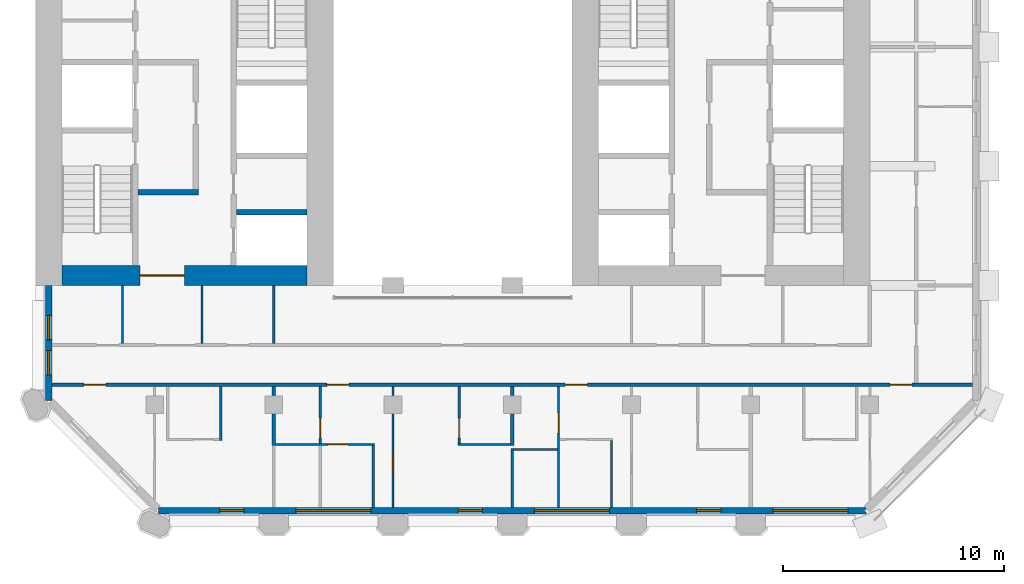
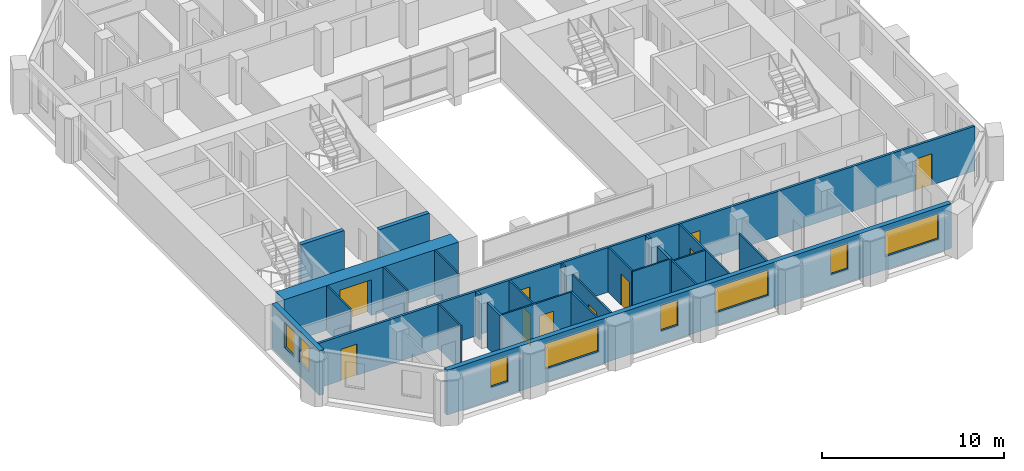
# One storey, part 4 of 12: 25 walls, 10 doors, 8 windows, 18 openings.
"""IFC4 building model written with IfcOpenShell, lengths in metres."""

from ifc_helpers import new_model, si_unit, direction, frame, frame_2d, origin, place, context, subcontext, project, spatial, rectangle, extrude, material, layer, layer_set, type_object, element, fill, save


model = new_model("IFC4")

# Units and contexts
model_context = context("Model", 3, precision=1e-05, world=origin(), true_north=direction((0.0, 1.0)))
body_context = subcontext(model_context, "Body", "Model", "MODEL_VIEW")
ifc_project = project(units=[si_unit("LENGTHUNIT", "METRE"), si_unit("AREAUNIT", "SQUARE_METRE"), si_unit("VOLUMEUNIT", "CUBIC_METRE"), si_unit("PLANEANGLEUNIT", "RADIAN"), si_unit("MASSUNIT", "GRAM", prefix="KILO")], contexts=[model_context])

# Site, building, storey
site_placement = place(None, origin())
site = spatial("IfcSite", under=ifc_project, at=site_placement, CompositionType="ELEMENT")
building_placement = place(site_placement, origin())
building = spatial("IfcBuilding", under=site, at=building_placement, Name="Tabaq Tower and Sports Hall", CompositionType="ELEMENT")
storey_placement = place(building_placement, frame((0.0, 0.0, 184.0)))
storey = spatial("IfcBuildingStorey", under=building, at=storey_placement, Name="L44", CompositionType="ELEMENT", Elevation=184.0)

# Wall, opening, door
ifc_material_1 = material(Name="Concrete C50/60", Category="concrete")
ifc_layer_1 = layer(ifc_material_1, 0.89990234375)
ifc_layer_set_1 = layer_set([ifc_layer_1], Name="Core wall 900 Concrete C50/60")
wall_type_1 = type_object("IfcWallType", Name="Core wall 900 Concrete C50/60", PredefinedType="SOLIDWALL", material=ifc_layer_set_1)
wall_1_placement = place(storey_placement, frame((17.699951171875, 16.64990234375, 0.0), z_axis=(0.0, 0.0, 1.0), x_axis=(-1.0, 0.0, 0.0)))
wall_1 = element("IfcWall", 1, at=wall_1_placement, inside=storey, type_object=wall_type_1, Name="Core wall W L44", PredefinedType="SOLIDWALL", context=body_context, shape_type="SweptSolid", body=[
    extrude(rectangle(XDim=11.099853515625, YDim=0.89990234375, at=frame_2d((5.5498046875, 0.0))), origin(), (0.0, 0.0, 1.0), 3.0),
])
opening_1_placement = place(wall_1_placement, frame((5.550048828125, 0.0, 0.0)))
opening_1 = element("IfcOpeningElement", 2, at=opening_1_placement, cuts=wall_1, Name="Opening PD-WL44-01", PredefinedType="OPENING", context=body_context, shape_type="SweptSolid", body=[
    extrude(rectangle(XDim=2.0, YDim=2.39990234375, at=frame_2d((1.0, 1.199951171875))), frame((0.0, 0.449951171875, 0.0), z_axis=(0.0, -1.0, 0.0), x_axis=(1.0, 0.0, 0.0)), (0.0, 0.0, 1.0), 0.89990234375),
])
ifc_material_2 = material(Name="Steel fire door", Category="steel")
door_type_1 = type_object("IfcDoorType", Name="Core entrance door 2000", OperationType="DOUBLE_DOOR_SINGLE_SWING", PredefinedType="DOOR", material=ifc_material_2)
door_1_placement = place(opening_1_placement, origin())
door_1 = element("IfcDoor", 3, at=door_1_placement, inside=storey, type_object=door_type_1, Name="Core entrance south W L44", OperationType="DOUBLE_DOOR_SINGLE_SWING", OverallHeight=2.39990234375, OverallWidth=2.0, PredefinedType="DOOR", context=body_context, shape_type="SweptSolid", body=[
    extrude(rectangle(XDim=2.0, YDim=2.39990234375, at=frame_2d((1.0, 1.199951171875))), frame((0.0, 0.02490234375, 0.0), z_axis=(0.0, -1.0, 0.0), x_axis=(1.0, 0.0, 0.0)), (0.0, 0.0, 1.0), 0.050048828125),
])
fill(opening_1, door_1)

# Walls
ifc_material_3 = material(Name="Gypsum board on steel studs", Category="steel")
ifc_layer_2 = layer(ifc_material_3, 0.10009765625)
ifc_layer_set_2 = layer_set([ifc_layer_2], Name="Partition 100 Gypsum board")
wall_type_2 = type_object("IfcWallType", Name="Partition 100 Gypsum board", PredefinedType="PARTITIONING", material=ifc_layer_set_2)
wall_2_placement = place(storey_placement, frame((13.800048828125, 11.625, 0.0), z_axis=(0.0, 0.0, 1.0), x_axis=(0.0, -1.0, 0.0)))
element("IfcWall", 4, at=wall_2_placement, inside=storey, type_object=wall_type_2, Name="Partition wall L44", PredefinedType="PARTITIONING", context=body_context, shape_type="SweptSolid", body=[
    extrude(rectangle(XDim=2.449951171875, YDim=0.10009765625, at=frame_2d((1.22509765625, 0.0))), origin(), (0.0, 0.0, 1.0), 3.0),
])
wall_3_placement = place(storey_placement, frame((27.0, 6.15087890625, 0.0), z_axis=(0.0, 0.0, 1.0), x_axis=(0.0, 1.0, 0.0)))
element("IfcWall", 5, at=wall_3_placement, inside=storey, type_object=wall_type_2, Name="Partition wall L44", PredefinedType="PARTITIONING", context=body_context, shape_type="SweptSolid", body=[
    extrude(rectangle(XDim=2.674072265625, YDim=0.10009765625, at=frame_2d((1.3369140625, 0.0))), origin(), (0.0, 0.0, 1.0), 3.0),
])
wall_4_placement = place(storey_placement, frame((26.925048828125, 9.0, 0.0), z_axis=(0.0, 0.0, 1.0), x_axis=(-1.0, 0.0, 0.0)))
element("IfcWall", 6, at=wall_4_placement, inside=storey, type_object=wall_type_2, Name="Partition wall L44", PredefinedType="PARTITIONING", context=body_context, shape_type="SweptSolid", body=[
    extrude(rectangle(XDim=2.375, YDim=0.10009765625, at=frame_2d((1.1875, 0.0))), origin(), (0.0, 0.0, 1.0), 3.0),
])

# Wall, opening, door
wall_5_placement = place(storey_placement, frame((24.60009765625, 9.050048828125, 0.0), z_axis=(0.0, 0.0, 1.0), x_axis=(0.0, 1.0, 0.0)))
wall_5 = element("IfcWall", 7, at=wall_5_placement, inside=storey, type_object=wall_type_2, Name="Partition wall L44", PredefinedType="PARTITIONING", context=body_context, shape_type="SweptSolid", body=[
    extrude(rectangle(XDim=2.574951171875, YDim=0.10009765625, at=frame_2d((1.28759765625, 0.0))), origin(), (0.0, 0.0, 1.0), 3.0),
])
opening_2_placement = place(wall_5_placement, frame((0.25, 0.0, 0.0)))
opening_2 = element("IfcOpeningElement", 8, at=opening_2_placement, cuts=wall_5, Name="Opening L44-017", PredefinedType="OPENING", context=body_context, shape_type="SweptSolid", body=[
    extrude(rectangle(XDim=0.89990234375, YDim=2.10009765625, at=frame_2d((0.449951171875, 1.050048828125))), frame((0.0, 0.050048828125, 0.0), z_axis=(0.0, -1.0, 0.0), x_axis=(1.0, 0.0, 0.0)), (0.0, 0.0, 1.0), 0.10009765625),
])
ifc_material_4 = material(Name="Timber leaf in steel frame", Category="steel")
door_type_2 = type_object("IfcDoorType", Name="Internal door 900 right hand", OperationType="SINGLE_SWING_RIGHT", PredefinedType="DOOR", material=ifc_material_4)
door_2_placement = place(opening_2_placement, origin())
door_2 = element("IfcDoor", 9, at=door_2_placement, inside=storey, type_object=door_type_2, Name="Internal door L44-017", OperationType="SINGLE_SWING_RIGHT", OverallHeight=2.10009765625, OverallWidth=0.89990234375, PredefinedType="DOOR", context=body_context, shape_type="SweptSolid", body=[
    extrude(rectangle(XDim=0.89990234375, YDim=2.10009765625, at=frame_2d((0.449951171875, 1.050048828125))), frame((0.0, 0.02490234375, 0.0), z_axis=(0.0, -1.0, 0.0), x_axis=(1.0, 0.0, 0.0)), (0.0, 0.0, 1.0), 0.050048828125),
])
fill(opening_2, door_2)

# Wall
wall_6_placement = place(storey_placement, frame((21.60009765625, 11.625, 0.0), z_axis=(0.0, 0.0, 1.0), x_axis=(0.0, -1.0, 0.0)))
element("IfcWall", 10, at=wall_6_placement, inside=storey, type_object=wall_type_2, Name="Partition wall L44", PredefinedType="PARTITIONING", context=body_context, shape_type="SweptSolid", body=[
    extrude(rectangle(XDim=0.405029296875, YDim=0.10009765625, at=frame_2d((0.20263671875, 0.0))), origin(), (0.0, 0.0, 1.0), 3.0),
])

# Wall, opening, door
wall_7_placement = place(storey_placement, frame((21.60009765625, 10.3798828125, 0.0), z_axis=(0.0, 0.0, 1.0), x_axis=(0.0, -1.0, 0.0)))
wall_7 = element("IfcWall", 11, at=wall_7_placement, inside=storey, type_object=wall_type_2, Name="Partition wall L44", PredefinedType="PARTITIONING", context=body_context, shape_type="SweptSolid", body=[
    extrude(rectangle(XDim=4.22900390625, YDim=0.10009765625, at=frame_2d((2.114501953125, 0.0))), origin(), (0.0, 0.0, 1.0), 3.0),
])
opening_3_placement = place(wall_7_placement, frame((1.780029296875, 0.0, 0.0)))
opening_3 = element("IfcOpeningElement", 12, at=opening_3_placement, cuts=wall_7, Name="Opening L44-043", PredefinedType="OPENING", context=body_context, shape_type="SweptSolid", body=[
    extrude(rectangle(XDim=0.89990234375, YDim=2.10009765625, at=frame_2d((0.449951171875, 1.050048828125))), frame((0.0, 0.050048828125, 0.0), z_axis=(0.0, -1.0, 0.0), x_axis=(1.0, 0.0, 0.0)), (0.0, 0.0, 1.0), 0.10009765625),
])
ifc_material_5 = material(Name="Timber leaf in steel frame", Category="steel")
door_type_3 = type_object("IfcDoorType", Name="Internal door 900 left hand", OperationType="SINGLE_SWING_LEFT", PredefinedType="DOOR", material=ifc_material_5)
door_3_placement = place(opening_3_placement, origin())
door_3 = element("IfcDoor", 13, at=door_3_placement, inside=storey, type_object=door_type_3, Name="Internal door L44-043", OperationType="SINGLE_SWING_LEFT", OverallHeight=2.10009765625, OverallWidth=0.89990234375, PredefinedType="DOOR", context=body_context, shape_type="SweptSolid", body=[
    extrude(rectangle(XDim=0.89990234375, YDim=2.10009765625, at=frame_2d((0.449951171875, 1.050048828125))), frame((0.0, 0.02490234375, 0.0), z_axis=(0.0, -1.0, 0.0), x_axis=(1.0, 0.0, 0.0)), (0.0, 0.0, 1.0), 0.050048828125),
])
fill(opening_3, door_3)

wall_8_placement = place(storey_placement, frame((18.300048828125, 9.050048828125, 0.0), z_axis=(0.0, 0.0, 1.0), x_axis=(0.0, 1.0, 0.0)))
wall_8 = element("IfcWall", 14, at=wall_8_placement, inside=storey, type_object=wall_type_2, Name="Partition wall L44", PredefinedType="PARTITIONING", context=body_context, shape_type="SweptSolid", body=[
    extrude(rectangle(XDim=2.574951171875, YDim=0.10009765625, at=frame_2d((1.28759765625, 0.0))), origin(), (0.0, 0.0, 1.0), 3.0),
])
opening_4_placement = place(wall_8_placement, frame((0.25, 0.0, 0.0)))
opening_4 = element("IfcOpeningElement", 15, at=opening_4_placement, cuts=wall_8, Name="Opening L44-018", PredefinedType="OPENING", context=body_context, shape_type="SweptSolid", body=[
    extrude(rectangle(XDim=0.89990234375, YDim=2.10009765625, at=frame_2d((0.449951171875, 1.050048828125))), frame((0.0, 0.050048828125, 0.0), z_axis=(0.0, -1.0, 0.0), x_axis=(1.0, 0.0, 0.0)), (0.0, 0.0, 1.0), 0.10009765625),
])
door_4_placement = place(opening_4_placement, origin())
door_4 = element("IfcDoor", 16, at=door_4_placement, inside=storey, type_object=door_type_3, Name="Internal door L44-018", OperationType="SINGLE_SWING_LEFT", OverallHeight=2.10009765625, OverallWidth=0.89990234375, PredefinedType="DOOR", context=body_context, shape_type="SweptSolid", body=[
    extrude(rectangle(XDim=0.89990234375, YDim=2.10009765625, at=frame_2d((0.449951171875, 1.050048828125))), frame((0.0, 0.02490234375, 0.0), z_axis=(0.0, -1.0, 0.0), x_axis=(1.0, 0.0, 0.0)), (0.0, 0.0, 1.0), 0.050048828125),
])
fill(opening_4, door_4)

wall_9_placement = place(storey_placement, frame((16.27490234375, 9.0, 0.0), z_axis=(0.0, 0.0, 1.0), x_axis=(1.0, 0.0, 0.0)))
wall_9 = element("IfcWall", 17, at=wall_9_placement, inside=storey, type_object=wall_type_2, Name="Partition wall L44", PredefinedType="PARTITIONING", context=body_context, shape_type="SweptSolid", body=[
    extrude(rectangle(XDim=4.47509765625, YDim=0.10009765625, at=frame_2d((2.237548828125, 0.0))), origin(), (0.0, 0.0, 1.0), 3.0),
])
opening_5_placement = place(wall_9_placement, frame((2.375, 0.0, 0.0)))
opening_5 = element("IfcOpeningElement", 18, at=opening_5_placement, cuts=wall_9, Name="Opening L44-019", PredefinedType="OPENING", context=body_context, shape_type="SweptSolid", body=[
    extrude(rectangle(XDim=0.89990234375, YDim=2.10009765625, at=frame_2d((0.449951171875, 1.050048828125))), frame((0.0, 0.050048828125, 0.0), z_axis=(0.0, -1.0, 0.0), x_axis=(1.0, 0.0, 0.0)), (0.0, 0.0, 1.0), 0.10009765625),
])
door_5_placement = place(opening_5_placement, origin())
door_5 = element("IfcDoor", 19, at=door_5_placement, inside=storey, type_object=door_type_2, Name="Internal door L44-019", OperationType="SINGLE_SWING_RIGHT", OverallHeight=2.10009765625, OverallWidth=0.89990234375, PredefinedType="DOOR", context=body_context, shape_type="SweptSolid", body=[
    extrude(rectangle(XDim=0.89990234375, YDim=2.10009765625, at=frame_2d((0.449951171875, 1.050048828125))), frame((0.0, 0.02490234375, 0.0), z_axis=(0.0, -1.0, 0.0), x_axis=(1.0, 0.0, 0.0)), (0.0, 0.0, 1.0), 0.050048828125),
])
fill(opening_5, door_5)

# Walls
wall_10_placement = place(storey_placement, frame((20.699951171875, 8.949951171875, 0.0), z_axis=(0.0, 0.0, 1.0), x_axis=(0.0, -1.0, 0.0)))
element("IfcWall", 20, at=wall_10_placement, inside=storey, type_object=wall_type_2, Name="Partition wall L44", PredefinedType="PARTITIONING", context=body_context, shape_type="SweptSolid", body=[
    extrude(rectangle(XDim=2.799072265625, YDim=0.10009765625, at=frame_2d((1.3994140625, 0.0))), origin(), (0.0, 0.0, 1.0), 3.0),
])
wall_11_placement = place(storey_placement, frame((27.050048828125, 8.77490234375, 0.0), z_axis=(0.0, 0.0, 1.0), x_axis=(1.0, 0.0, 0.0)))
element("IfcWall", 21, at=wall_11_placement, inside=storey, type_object=wall_type_2, Name="Partition wall L44", PredefinedType="PARTITIONING", context=body_context, shape_type="SweptSolid", body=[
    extrude(rectangle(XDim=2.0, YDim=0.10009765625, at=frame_2d((1.0, 0.0))), origin(), (0.0, 0.0, 1.0), 3.0),
])

# Wall, opening, door
wall_12_placement = place(storey_placement, frame((29.10009765625, 6.15087890625, 0.0), z_axis=(0.0, 0.0, 1.0), x_axis=(0.0, 1.0, 0.0)))
wall_12 = element("IfcWall", 22, at=wall_12_placement, inside=storey, type_object=wall_type_2, Name="Partition wall L44", PredefinedType="PARTITIONING", context=body_context, shape_type="SweptSolid", body=[
    extrude(rectangle(XDim=5.47412109375, YDim=0.10009765625, at=frame_2d((2.737060546875, 0.0))), origin(), (0.0, 0.0, 1.0), 3.0),
])
opening_6_placement = place(wall_12_placement, frame((3.3740234375, 0.0, 0.0)))
opening_6 = element("IfcOpeningElement", 23, at=opening_6_placement, cuts=wall_12, Name="Opening L44-021", PredefinedType="OPENING", context=body_context, shape_type="SweptSolid", body=[
    extrude(rectangle(XDim=0.89990234375, YDim=2.10009765625, at=frame_2d((0.449951171875, 1.050048828125))), frame((0.0, 0.050048828125, 0.0), z_axis=(0.0, -1.0, 0.0), x_axis=(1.0, 0.0, 0.0)), (0.0, 0.0, 1.0), 0.10009765625),
])
door_6_placement = place(opening_6_placement, origin())
door_6 = element("IfcDoor", 24, at=door_6_placement, inside=storey, type_object=door_type_2, Name="Internal door L44-021", OperationType="SINGLE_SWING_RIGHT", OverallHeight=2.10009765625, OverallWidth=0.89990234375, PredefinedType="DOOR", context=body_context, shape_type="SweptSolid", body=[
    extrude(rectangle(XDim=0.89990234375, YDim=2.10009765625, at=frame_2d((0.449951171875, 1.050048828125))), frame((0.0, 0.02490234375, 0.0), z_axis=(0.0, -1.0, 0.0), x_axis=(1.0, 0.0, 0.0)), (0.0, 0.0, 1.0), 0.050048828125),
])
fill(opening_6, door_6)

# Walls
wall_13_placement = place(storey_placement, frame((31.5, 9.175048828125, 0.0), z_axis=(0.0, 0.0, 1.0), x_axis=(0.0, -1.0, 0.0)))
element("IfcWall", 25, at=wall_13_placement, inside=storey, type_object=wall_type_2, Name="Partition wall L44", PredefinedType="PARTITIONING", context=body_context, shape_type="SweptSolid", body=[
    extrude(rectangle(XDim=3.024169921875, YDim=0.10009765625, at=frame_2d((1.51220703125, 0.0))), origin(), (0.0, 0.0, 1.0), 3.0),
])
for number, where, z_axis, x_axis, name in (
    (26, (16.199951171875, 16.199951171875, 0.0), (0.0, 0.0, 1.0), (0.0, -1.0, 0.0), "Partition wall L44"),
    (27, (9.35009765625, 16.199951171875, 0.0), (0.0, 0.0, 1.0), (0.0, -1.0, 0.0), "Partition wall L44"),
    (28, (12.949951171875, 13.574951171875, 0.0), (0.0, 0.0, 1.0), (0.0, 1.0, 0.0), "Partition wall L44"),
):
    element("IfcWall", number, at=place(storey_placement, frame(where, z_axis=z_axis, x_axis=x_axis)), inside=storey, type_object=wall_type_2, Name=name, PredefinedType="PARTITIONING", context=body_context, shape_type="SweptSolid", body=[
        extrude(rectangle(XDim=2.625, YDim=0.10009765625, at=frame_2d((1.3125, 0.0))), origin(), (0.0, 0.0, 1.0), 3.0),
    ])
ifc_material_6 = material(Name="Blockwork", Category="masonry")
ifc_layer_3 = layer(ifc_material_6, 0.14990234375)
ifc_layer_set_3 = layer_set([ifc_layer_3], Name="Separating wall 150 Blockwork")
wall_type_3 = type_object("IfcWallType", Name="Separating wall 150 Blockwork", PredefinedType="PARTITIONING", material=ifc_layer_set_3)
wall_14_placement = place(storey_placement, frame((16.199951171875, 8.949951171875, 0.0), z_axis=(0.0, 0.0, 1.0), x_axis=(0.0, 1.0, 0.0)))
element("IfcWall", 29, at=wall_14_placement, inside=storey, type_object=wall_type_3, Name="Separating wall L44", PredefinedType="PARTITIONING", context=body_context, shape_type="SweptSolid", body=[
    extrude(rectangle(XDim=1.429931640625, YDim=0.14990234375, at=frame_2d((0.71484375, 0.0))), origin(), (0.0, 0.0, 1.0), 3.0),
])
wall_15_placement = place(storey_placement, frame((16.199951171875, 11.219970703125, 0.0), z_axis=(0.0, 0.0, 1.0), x_axis=(0.0, 1.0, 0.0)))
element("IfcWall", 30, at=wall_15_placement, inside=storey, type_object=wall_type_3, Name="Separating wall L44", PredefinedType="PARTITIONING", context=body_context, shape_type="SweptSolid", body=[
    extrude(rectangle(XDim=0.405029296875, YDim=0.14990234375, at=frame_2d((0.20263671875, 0.0))), origin(), (0.0, 0.0, 1.0), 3.0),
])
wall_16_placement = place(storey_placement, frame((27.0, 8.949951171875, 0.0), z_axis=(0.0, 0.0, 1.0), x_axis=(0.0, 1.0, 0.0)))
element("IfcWall", 31, at=wall_16_placement, inside=storey, type_object=wall_type_3, Name="Separating wall L44", PredefinedType="PARTITIONING", context=body_context, shape_type="SweptSolid", body=[
    extrude(rectangle(XDim=1.429931640625, YDim=0.14990234375, at=frame_2d((0.71484375, 0.0))), origin(), (0.0, 0.0, 1.0), 3.0),
])
wall_17_placement = place(storey_placement, frame((27.0, 11.219970703125, 0.0), z_axis=(0.0, 0.0, 1.0), x_axis=(0.0, 1.0, 0.0)))
element("IfcWall", 32, at=wall_17_placement, inside=storey, type_object=wall_type_3, Name="Separating wall L44", PredefinedType="PARTITIONING", context=body_context, shape_type="SweptSolid", body=[
    extrude(rectangle(XDim=0.405029296875, YDim=0.14990234375, at=frame_2d((0.20263671875, 0.0))), origin(), (0.0, 0.0, 1.0), 3.0),
])

# Wall, openings, doors
wall_18_placement = place(storey_placement, frame((6.15087890625, 11.699951171875, 0.0), z_axis=(0.0, 0.0, 1.0), x_axis=(1.0, 0.0, 0.0)))
wall_18 = element("IfcWall", 33, at=wall_18_placement, inside=storey, type_object=wall_type_3, Name="Separating wall L44", PredefinedType="PARTITIONING", context=body_context, shape_type="SweptSolid", body=[
    extrude(rectangle(XDim=41.6982421875, YDim=0.14990234375, at=frame_2d((20.84912109375, 0.0))), origin(), (0.0, 0.0, 1.0), 3.0),
])
opening_7_placement = place(wall_18_placement, frame((1.448974609375, 0.0, 0.0)))
opening_7 = element("IfcOpeningElement", 34, at=opening_7_placement, cuts=wall_18, Name="Opening L44-042", PredefinedType="OPENING", context=body_context, shape_type="SweptSolid", body=[
    extrude(rectangle(XDim=1.0, YDim=2.10009765625, at=frame_2d((0.5, 1.050048828125))), frame((0.0, 0.074951171875, 0.0), z_axis=(0.0, -1.0, 0.0), x_axis=(1.0, 0.0, 0.0)), (0.0, 0.0, 1.0), 0.14990234375),
])
opening_8_placement = place(wall_18_placement, frame((37.9541015625, 0.0, 0.0)))
opening_8 = element("IfcOpeningElement", 35, at=opening_8_placement, cuts=wall_18, Name="Opening L44-046", PredefinedType="OPENING", context=body_context, shape_type="SweptSolid", body=[
    extrude(rectangle(XDim=1.0, YDim=2.10009765625, at=frame_2d((0.5, 1.050048828125))), frame((0.0, 0.074951171875, 0.0), z_axis=(0.0, -1.0, 0.0), x_axis=(1.0, 0.0, 0.0)), (0.0, 0.0, 1.0), 0.14990234375),
])
opening_9_placement = place(wall_18_placement, frame((12.448974609375, 0.0, 0.0)))
opening_9 = element("IfcOpeningElement", 36, at=opening_9_placement, cuts=wall_18, Name="Opening L44-050", PredefinedType="OPENING", context=body_context, shape_type="SweptSolid", body=[
    extrude(rectangle(XDim=1.0, YDim=2.10009765625, at=frame_2d((0.5, 1.050048828125))), frame((0.0, 0.074951171875, 0.0), z_axis=(0.0, -1.0, 0.0), x_axis=(1.0, 0.0, 0.0)), (0.0, 0.0, 1.0), 0.14990234375),
])
opening_10_placement = place(wall_18_placement, frame((23.2490234375, 0.0, 0.0)))
opening_10 = element("IfcOpeningElement", 37, at=opening_10_placement, cuts=wall_18, Name="Opening L44-051", PredefinedType="OPENING", context=body_context, shape_type="SweptSolid", body=[
    extrude(rectangle(XDim=1.0, YDim=2.10009765625, at=frame_2d((0.5, 1.050048828125))), frame((0.0, 0.074951171875, 0.0), z_axis=(0.0, -1.0, 0.0), x_axis=(1.0, 0.0, 0.0)), (0.0, 0.0, 1.0), 0.14990234375),
])
ifc_material_7 = material(Name="Steel fire door", Category="steel")
door_type_4 = type_object("IfcDoorType", Name="Entrance door 1000 left hand", OperationType="SINGLE_SWING_LEFT", PredefinedType="DOOR", material=ifc_material_7)
door_7_placement = place(opening_9_placement, origin())
door_7 = element("IfcDoor", 38, at=door_7_placement, inside=storey, type_object=door_type_4, Name="Entrance door L44-050", OperationType="SINGLE_SWING_LEFT", OverallHeight=2.10009765625, OverallWidth=1.0, PredefinedType="DOOR", context=body_context, shape_type="SweptSolid", body=[
    extrude(rectangle(XDim=1.0, YDim=2.10009765625, at=frame_2d((0.5, 1.050048828125))), frame((0.0, 0.02490234375, 0.0), z_axis=(0.0, -1.0, 0.0), x_axis=(1.0, 0.0, 0.0)), (0.0, 0.0, 1.0), 0.050048828125),
])
fill(opening_9, door_7)
door_8_placement = place(opening_10_placement, origin())
door_8 = element("IfcDoor", 39, at=door_8_placement, inside=storey, type_object=door_type_4, Name="Entrance door L44-051", OperationType="SINGLE_SWING_LEFT", OverallHeight=2.10009765625, OverallWidth=1.0, PredefinedType="DOOR", context=body_context, shape_type="SweptSolid", body=[
    extrude(rectangle(XDim=1.0, YDim=2.10009765625, at=frame_2d((0.5, 1.050048828125))), frame((0.0, 0.02490234375, 0.0), z_axis=(0.0, -1.0, 0.0), x_axis=(1.0, 0.0, 0.0)), (0.0, 0.0, 1.0), 0.050048828125),
])
fill(opening_10, door_8)
ifc_material_8 = material(Name="Steel fire door", Category="steel")
door_type_5 = type_object("IfcDoorType", Name="Entrance door 1000 right hand", OperationType="SINGLE_SWING_RIGHT", PredefinedType="DOOR", material=ifc_material_8)
door_9_placement = place(opening_7_placement, origin())
door_9 = element("IfcDoor", 40, at=door_9_placement, inside=storey, type_object=door_type_5, Name="Entrance door L44-042", OperationType="SINGLE_SWING_RIGHT", OverallHeight=2.10009765625, OverallWidth=1.0, PredefinedType="DOOR", context=body_context, shape_type="SweptSolid", body=[
    extrude(rectangle(XDim=1.0, YDim=2.10009765625, at=frame_2d((0.5, 1.050048828125))), frame((0.0, 0.02490234375, 0.0), z_axis=(0.0, -1.0, 0.0), x_axis=(1.0, 0.0, 0.0)), (0.0, 0.0, 1.0), 0.050048828125),
])
fill(opening_7, door_9)
door_10_placement = place(opening_8_placement, origin())
door_10 = element("IfcDoor", 41, at=door_10_placement, inside=storey, type_object=door_type_5, Name="Entrance door L44-046", OperationType="SINGLE_SWING_RIGHT", OverallHeight=2.10009765625, OverallWidth=1.0, PredefinedType="DOOR", context=body_context, shape_type="SweptSolid", body=[
    extrude(rectangle(XDim=1.0, YDim=2.10009765625, at=frame_2d((0.5, 1.050048828125))), frame((0.0, 0.02490234375, 0.0), z_axis=(0.0, -1.0, 0.0), x_axis=(1.0, 0.0, 0.0)), (0.0, 0.0, 1.0), 0.050048828125),
])
fill(opening_8, door_10)

# Walls
ifc_material_9 = material(Name="Concrete C40/50", Category="concrete")
ifc_layer_4 = layer(ifc_material_9, 0.25)
ifc_layer_set_4 = layer_set([ifc_layer_4], Name="Shaft and stair wall 250 Concrete C40/50")
wall_type_4 = type_object("IfcWallType", Name="Shaft and stair wall 250 Concrete C40/50", PredefinedType="SOLIDWALL", material=ifc_layer_set_4)
wall_19_placement = place(storey_placement, frame((10.050048828125, 20.425048828125, 0.0), z_axis=(0.0, 0.0, 1.0), x_axis=(1.0, 0.0, 0.0)))
element("IfcWall", 42, at=wall_19_placement, inside=storey, type_object=wall_type_4, Name="Fire-fighting lobby wall W L44", PredefinedType="SOLIDWALL", context=body_context, shape_type="SweptSolid", body=[
    extrude(rectangle(XDim=2.75, YDim=0.25, at=frame_2d((1.375, 0.0))), origin(), (0.0, 0.0, 1.0), 3.0),
])
wall_20_placement = place(storey_placement, frame((14.5, 19.52490234375, 0.0), z_axis=(0.0, 0.0, 1.0), x_axis=(1.0, 0.0, 0.0)))
element("IfcWall", 43, at=wall_20_placement, inside=storey, type_object=wall_type_4, Name="Shaft wall W L44", PredefinedType="SOLIDWALL", context=body_context, shape_type="SweptSolid", body=[
    extrude(rectangle(XDim=3.199951171875, YDim=0.25, at=frame_2d((1.60009765625, 0.0))), origin(), (0.0, 0.0, 1.0), 3.0),
])

# Wall, openings, windows
ifc_material_10 = material(Name="White precast concrete C60/75", Category="concrete")
ifc_layer_5 = layer(ifc_material_10, 0.300048828125)
ifc_layer_set_5 = layer_set([ifc_layer_5], Name="White precast concrete C60/75 external wall 300")
wall_type_5 = type_object("IfcWallType", Name="White precast concrete C60/75 external wall 300", PredefinedType="SOLIDWALL", material=ifc_layer_set_5)
wall_21_placement = place(storey_placement, frame((10.986328125, 6.0, 0.0), z_axis=(0.0, 0.0, 1.0), x_axis=(1.0, 0.0, 0.0)))
wall_21 = element("IfcWall", 44, at=wall_21_placement, inside=storey, type_object=wall_type_5, Name="External Wall L44 S", PredefinedType="SOLIDWALL", context=body_context, shape_type="SweptSolid", body=[
    extrude(rectangle(XDim=32.02734375, YDim=0.300048828125, at=frame_2d((16.013671875, 0.0))), origin(), (0.0, 0.0, 1.0), 3.0),
])
opening_11_placement = place(wall_21_placement, frame((2.763671875, 0.0, 0.89990234375)))
opening_11 = element("IfcOpeningElement", 45, at=opening_11_placement, cuts=wall_21, Name="Opening W1B", PredefinedType="OPENING", context=body_context, shape_type="SweptSolid", body=[
    extrude(rectangle(XDim=1.10009765625, YDim=1.699951171875, at=frame_2d((0.550048828125, 0.85009765625))), frame((0.0, 0.16015625, 0.0), z_axis=(0.0, -1.0, 0.0), x_axis=(1.0, 0.0, 0.0)), (0.0, 0.0, 1.0), 0.320068359375),
])
opening_12_placement = place(wall_21_placement, frame((6.213623046875, 0.0, 0.89990234375)))
opening_12 = element("IfcOpeningElement", 46, at=opening_12_placement, cuts=wall_21, Name="Opening W1A", PredefinedType="OPENING", context=body_context, shape_type="SweptSolid", body=[
    extrude(rectangle(XDim=3.39990234375, YDim=1.699951171875, at=frame_2d((1.699951171875, 0.85009765625))), frame((0.0, 0.16015625, 0.0), z_axis=(0.0, -1.0, 0.0), x_axis=(1.0, 0.0, 0.0)), (0.0, 0.0, 1.0), 0.320068359375),
])
opening_13_placement = place(wall_21_placement, frame((13.563720703125, 0.0, 0.89990234375)))
opening_13 = element("IfcOpeningElement", 47, at=opening_13_placement, cuts=wall_21, Name="Opening W1B", PredefinedType="OPENING", context=body_context, shape_type="SweptSolid", body=[
    extrude(rectangle(XDim=1.10009765625, YDim=1.699951171875, at=frame_2d((0.550048828125, 0.85009765625))), frame((0.0, 0.16015625, 0.0), z_axis=(0.0, -1.0, 0.0), x_axis=(1.0, 0.0, 0.0)), (0.0, 0.0, 1.0), 0.320068359375),
])
opening_14_placement = place(wall_21_placement, frame((17.013671875, 0.0, 0.89990234375)))
opening_14 = element("IfcOpeningElement", 48, at=opening_14_placement, cuts=wall_21, Name="Opening W1A", PredefinedType="OPENING", context=body_context, shape_type="SweptSolid", body=[
    extrude(rectangle(XDim=3.39990234375, YDim=1.699951171875, at=frame_2d((1.699951171875, 0.85009765625))), frame((0.0, 0.16015625, 0.0), z_axis=(0.0, -1.0, 0.0), x_axis=(1.0, 0.0, 0.0)), (0.0, 0.0, 1.0), 0.320068359375),
])
opening_15_placement = place(wall_21_placement, frame((24.363525390625, 0.0, 0.89990234375)))
opening_15 = element("IfcOpeningElement", 49, at=opening_15_placement, cuts=wall_21, Name="Opening W1B", PredefinedType="OPENING", context=body_context, shape_type="SweptSolid", body=[
    extrude(rectangle(XDim=1.10009765625, YDim=1.699951171875, at=frame_2d((0.550048828125, 0.85009765625))), frame((0.0, 0.16015625, 0.0), z_axis=(0.0, -1.0, 0.0), x_axis=(1.0, 0.0, 0.0)), (0.0, 0.0, 1.0), 0.320068359375),
])
opening_16_placement = place(wall_21_placement, frame((27.813720703125, 0.0, 0.89990234375)))
opening_16 = element("IfcOpeningElement", 50, at=opening_16_placement, cuts=wall_21, Name="Opening W1A", PredefinedType="OPENING", context=body_context, shape_type="SweptSolid", body=[
    extrude(rectangle(XDim=3.39990234375, YDim=1.699951171875, at=frame_2d((1.699951171875, 0.85009765625))), frame((0.0, 0.16015625, 0.0), z_axis=(0.0, -1.0, 0.0), x_axis=(1.0, 0.0, 0.0)), (0.0, 0.0, 1.0), 0.320068359375),
])
ifc_material_11 = material(Name="Aluminium framed clear glazing", Category="aluminium")
window_type_1 = type_object("IfcWindowType", Name="Window W1A", PartitioningType="SINGLE_PANEL", PredefinedType="WINDOW", material=ifc_material_11)
window_1_placement = place(opening_12_placement, origin())
window_1 = element("IfcWindow", 51, at=window_1_placement, inside=storey, type_object=window_type_1, Name="Window W1A L44", OverallHeight=1.699951171875, OverallWidth=3.39990234375, PartitioningType="SINGLE_PANEL", PredefinedType="WINDOW", context=body_context, shape_type="SweptSolid", body=[
    extrude(rectangle(XDim=3.39990234375, YDim=1.699951171875, at=frame_2d((1.699951171875, 0.85009765625))), frame((0.0, 0.030029296875, 0.0), z_axis=(0.0, -1.0, 0.0), x_axis=(1.0, 0.0, 0.0)), (0.0, 0.0, 1.0), 0.06005859375),
])
fill(opening_12, window_1)
window_2_placement = place(opening_14_placement, origin())
window_2 = element("IfcWindow", 52, at=window_2_placement, inside=storey, type_object=window_type_1, Name="Window W1A L44", OverallHeight=1.699951171875, OverallWidth=3.39990234375, PartitioningType="SINGLE_PANEL", PredefinedType="WINDOW", context=body_context, shape_type="SweptSolid", body=[
    extrude(rectangle(XDim=3.39990234375, YDim=1.699951171875, at=frame_2d((1.699951171875, 0.85009765625))), frame((0.0, 0.030029296875, 0.0), z_axis=(0.0, -1.0, 0.0), x_axis=(1.0, 0.0, 0.0)), (0.0, 0.0, 1.0), 0.06005859375),
])
fill(opening_14, window_2)
window_3_placement = place(opening_16_placement, origin())
window_3 = element("IfcWindow", 53, at=window_3_placement, inside=storey, type_object=window_type_1, Name="Window W1A L44", OverallHeight=1.699951171875, OverallWidth=3.39990234375, PartitioningType="SINGLE_PANEL", PredefinedType="WINDOW", context=body_context, shape_type="SweptSolid", body=[
    extrude(rectangle(XDim=3.39990234375, YDim=1.699951171875, at=frame_2d((1.699951171875, 0.85009765625))), frame((0.0, 0.030029296875, 0.0), z_axis=(0.0, -1.0, 0.0), x_axis=(1.0, 0.0, 0.0)), (0.0, 0.0, 1.0), 0.06005859375),
])
fill(opening_16, window_3)
ifc_material_12 = material(Name="Aluminium framed clear glazing", Category="aluminium")
window_type_2 = type_object("IfcWindowType", Name="Window W1B", PartitioningType="SINGLE_PANEL", PredefinedType="WINDOW", material=ifc_material_12)
window_4_placement = place(opening_11_placement, origin())
window_4 = element("IfcWindow", 54, at=window_4_placement, inside=storey, type_object=window_type_2, Name="Window W1B L44", OverallHeight=1.699951171875, OverallWidth=1.10009765625, PartitioningType="SINGLE_PANEL", PredefinedType="WINDOW", context=body_context, shape_type="SweptSolid", body=[
    extrude(rectangle(XDim=1.10009765625, YDim=1.699951171875, at=frame_2d((0.550048828125, 0.85009765625))), frame((0.0, 0.030029296875, 0.0), z_axis=(0.0, -1.0, 0.0), x_axis=(1.0, 0.0, 0.0)), (0.0, 0.0, 1.0), 0.06005859375),
])
fill(opening_11, window_4)
window_5_placement = place(opening_13_placement, origin())
window_5 = element("IfcWindow", 55, at=window_5_placement, inside=storey, type_object=window_type_2, Name="Window W1B L44", OverallHeight=1.699951171875, OverallWidth=1.10009765625, PartitioningType="SINGLE_PANEL", PredefinedType="WINDOW", context=body_context, shape_type="SweptSolid", body=[
    extrude(rectangle(XDim=1.10009765625, YDim=1.699951171875, at=frame_2d((0.550048828125, 0.85009765625))), frame((0.0, 0.030029296875, 0.0), z_axis=(0.0, -1.0, 0.0), x_axis=(1.0, 0.0, 0.0)), (0.0, 0.0, 1.0), 0.06005859375),
])
fill(opening_13, window_5)
window_6_placement = place(opening_15_placement, origin())
window_6 = element("IfcWindow", 56, at=window_6_placement, inside=storey, type_object=window_type_2, Name="Window W1B L44", OverallHeight=1.699951171875, OverallWidth=1.10009765625, PartitioningType="SINGLE_PANEL", PredefinedType="WINDOW", context=body_context, shape_type="SweptSolid", body=[
    extrude(rectangle(XDim=1.10009765625, YDim=1.699951171875, at=frame_2d((0.550048828125, 0.85009765625))), frame((0.0, 0.030029296875, 0.0), z_axis=(0.0, -1.0, 0.0), x_axis=(1.0, 0.0, 0.0)), (0.0, 0.0, 1.0), 0.06005859375),
])
fill(opening_15, window_6)

wall_22_placement = place(storey_placement, frame((6.0, 16.199951171875, 0.0), z_axis=(0.0, 0.0, 1.0), x_axis=(0.0, -1.0, 0.0)))
wall_22 = element("IfcWall", 57, at=wall_22_placement, inside=storey, type_object=wall_type_5, Name="External Wall L44 W", PredefinedType="SOLIDWALL", context=body_context, shape_type="SweptSolid", body=[
    extrude(rectangle(XDim=5.213623046875, YDim=0.300048828125, at=frame_2d((2.60693359375, 0.0))), origin(), (0.0, 0.0, 1.0), 3.0),
])
opening_17_placement = place(wall_22_placement, frame((1.35009765625, 0.0, 0.89990234375)))
opening_17 = element("IfcOpeningElement", 58, at=opening_17_placement, cuts=wall_22, Name="Opening W1B", PredefinedType="OPENING", context=body_context, shape_type="SweptSolid", body=[
    extrude(rectangle(XDim=1.10009765625, YDim=1.699951171875, at=frame_2d((0.550048828125, 0.85009765625))), frame((0.0, 0.16015625, 0.0), z_axis=(0.0, -1.0, 0.0), x_axis=(1.0, 0.0, 0.0)), (0.0, 0.0, 1.0), 0.320068359375),
])
opening_18_placement = place(wall_22_placement, frame((2.949951171875, 0.0, 0.89990234375)))
opening_18 = element("IfcOpeningElement", 59, at=opening_18_placement, cuts=wall_22, Name="Opening W1B", PredefinedType="OPENING", context=body_context, shape_type="SweptSolid", body=[
    extrude(rectangle(XDim=1.10009765625, YDim=1.699951171875, at=frame_2d((0.550048828125, 0.85009765625))), frame((0.0, 0.16015625, 0.0), z_axis=(0.0, -1.0, 0.0), x_axis=(1.0, 0.0, 0.0)), (0.0, 0.0, 1.0), 0.320068359375),
])
window_7_placement = place(opening_17_placement, origin())
window_7 = element("IfcWindow", 60, at=window_7_placement, inside=storey, type_object=window_type_2, Name="Window W1B L44", OverallHeight=1.699951171875, OverallWidth=1.10009765625, PartitioningType="SINGLE_PANEL", PredefinedType="WINDOW", context=body_context, shape_type="SweptSolid", body=[
    extrude(rectangle(XDim=1.10009765625, YDim=1.699951171875, at=frame_2d((0.550048828125, 0.85009765625))), frame((0.0, 0.030029296875, 0.0), z_axis=(0.0, -1.0, 0.0), x_axis=(1.0, 0.0, 0.0)), (0.0, 0.0, 1.0), 0.06005859375),
])
fill(opening_17, window_7)
window_8_placement = place(opening_18_placement, origin())
window_8 = element("IfcWindow", 61, at=window_8_placement, inside=storey, type_object=window_type_2, Name="Window W1B L44", OverallHeight=1.699951171875, OverallWidth=1.10009765625, PartitioningType="SINGLE_PANEL", PredefinedType="WINDOW", context=body_context, shape_type="SweptSolid", body=[
    extrude(rectangle(XDim=1.10009765625, YDim=1.699951171875, at=frame_2d((0.550048828125, 0.85009765625))), frame((0.0, 0.030029296875, 0.0), z_axis=(0.0, -1.0, 0.0), x_axis=(1.0, 0.0, 0.0)), (0.0, 0.0, 1.0), 0.06005859375),
])
fill(opening_18, window_8)

save(model, "model.ifc")
